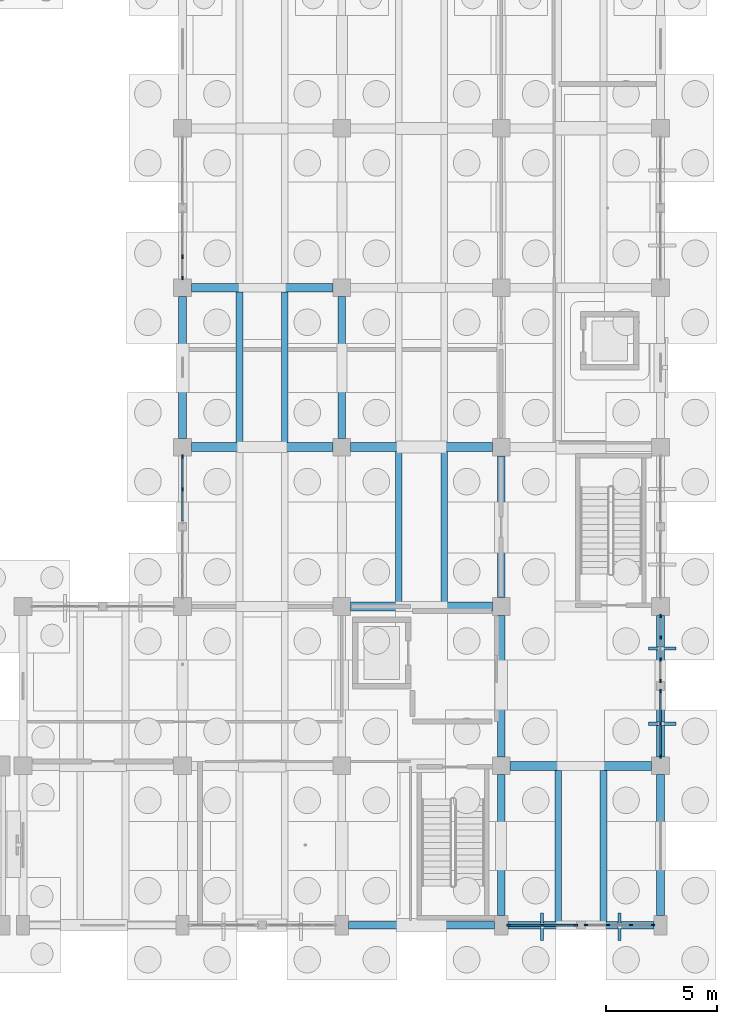
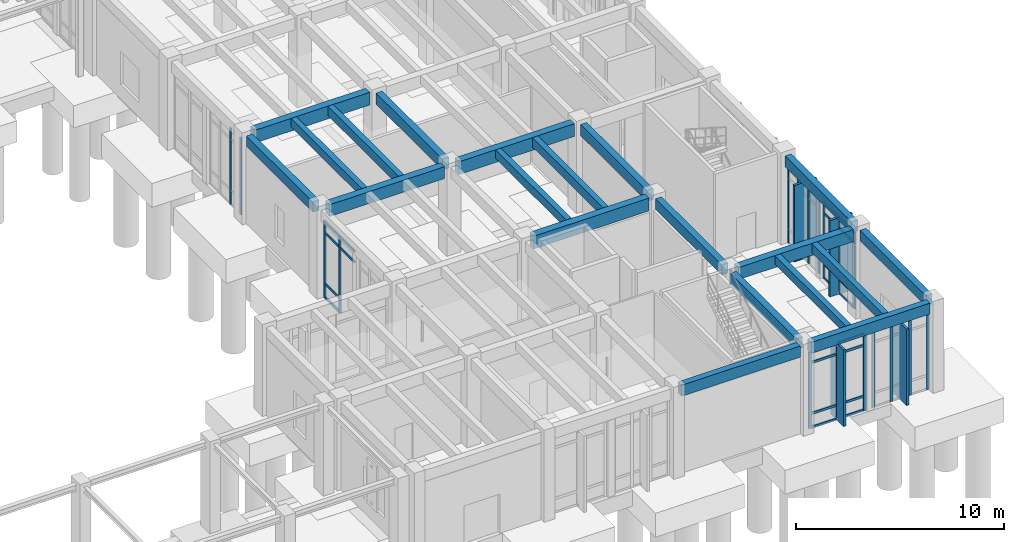
# One storey, part 36 of 93: 44 members, 20 beams, 6 elements without a shape of their own.
"""IFC4 building model written with IfcOpenShell, lengths in metres."""

from ifc_helpers import new_model, si_unit, direction, frame, origin, origin_2d, place, context, subcontext, project, spatial, rectangle, extrude, material, layer, layer_set, material_profile, profile_set, type_object, element, aggregate, save


model = new_model("IFC4")

# Units and contexts
model_context = context("Model", 3, precision=1e-05, world=origin(), true_north=direction((0.0, 1.0)))
body_context = subcontext(model_context, "Body", "Model", "MODEL_VIEW")
ifc_project = project(units=[si_unit("LENGTHUNIT", "METRE"), si_unit("AREAUNIT", "SQUARE_METRE"), si_unit("VOLUMEUNIT", "CUBIC_METRE"), si_unit("PLANEANGLEUNIT", "RADIAN"), si_unit("MASSUNIT", "GRAM", prefix="KILO")], contexts=[model_context])

# Site, building, storey
site_placement = place(None, origin())
site = spatial("IfcSite", under=ifc_project, at=site_placement, CompositionType="ELEMENT")
building_placement = place(site_placement, origin())
building = spatial("IfcBuilding", under=site, at=building_placement, Name="Koriwan Promenade Central Fire Station", CompositionType="ELEMENT")
storey_placement = place(building_placement, origin())
storey = spatial("IfcBuildingStorey", under=building, at=storey_placement, Name="L00", CompositionType="ELEMENT", Elevation=0.0)

# Beams
ifc_material_1 = material(Name="Concrete C35/45", Category="concrete")
ifc_material_profile_1 = material_profile(ifc_material_1, rectangle(XDim=0.300048828125, YDim=0.5, at=origin_2d()), Name="RC-BM-300x500")
ifc_profile_set_1 = profile_set([ifc_material_profile_1], Name="Concrete C35/45")
beam_type_1 = type_object("IfcBeamType", Name="Beam_RC-BM-300x500", PredefinedType="JOIST", material=ifc_profile_set_1)
beam_1_placement = place(storey_placement, frame((168.176025390625, 0.175048828125, 4.89990234375), z_axis=(0.0, 1.0, 0.0), x_axis=(-1.0, 0.0, 0.0)))
element("IfcBeam", 1, at=beam_1_placement, inside=storey, type_object=beam_type_1, Name="V5 L00 secondary joist 567", PredefinedType="JOIST", context=body_context, shape_type="SweptSolid", body=[
    extrude(rectangle(XDim=0.300048828125, YDim=0.5, at=origin_2d()), origin(), (0.0, 0.0, 1.0), 6.824951171875),
])
beam_2_placement = place(storey_placement, frame((160.97607421875, 14.60009765625, 4.89990234375), z_axis=(0.0, 1.0, 0.0), x_axis=(-1.0, 0.0, 0.0)))
element("IfcBeam", 2, at=beam_2_placement, inside=storey, type_object=beam_type_1, Name="V5 L00 secondary joist 575", PredefinedType="JOIST", context=body_context, shape_type="SweptSolid", body=[
    extrude(rectangle(XDim=0.300048828125, YDim=0.5, at=origin_2d()), origin(), (0.0, 0.0, 1.0), 6.7998046875),
])
beam_3_placement = place(storey_placement, frame((153.77587890625, 21.800048828125, 4.89990234375), z_axis=(0.0, 1.0, 0.0), x_axis=(-1.0, 0.0, 0.0)))
element("IfcBeam", 3, at=beam_3_placement, inside=storey, type_object=beam_type_1, Name="V5 L00 secondary joist 577", PredefinedType="JOIST", context=body_context, shape_type="SweptSolid", body=[
    extrude(rectangle(XDim=0.300048828125, YDim=0.5, at=origin_2d()), origin(), (0.0, 0.0, 1.0), 6.800048828125),
])
ifc_material_profile_2 = material_profile(ifc_material_1, rectangle(XDim=0.300048828125, YDim=0.550048828125, at=origin_2d()), Name="RC-BM-300x550")
ifc_profile_set_2 = profile_set([ifc_material_profile_2], Name="Concrete C35/45")
beam_type_2 = type_object("IfcBeamType", Name="Beam_RC-BM-300x550", PredefinedType="JOIST", material=ifc_profile_set_2)
beam_4_placement = place(storey_placement, frame((170.22412109375, 0.175048828125, 4.875), z_axis=(0.0, 1.0, 0.0), x_axis=(-1.0, 0.0, 0.0)))
element("IfcBeam", 4, at=beam_4_placement, inside=storey, type_object=beam_type_2, Name="V5 L00 secondary joist 568", PredefinedType="JOIST", context=body_context, shape_type="SweptSolid", body=[
    extrude(rectangle(XDim=0.300048828125, YDim=0.550048828125, at=origin_2d()), origin(), (0.0, 0.0, 1.0), 6.824951171875),
])
beam_5_placement = place(storey_placement, frame((163.02392578125, 14.60009765625, 4.875), z_axis=(0.0, 1.0, 0.0), x_axis=(-1.0, 0.0, 0.0)))
element("IfcBeam", 5, at=beam_5_placement, inside=storey, type_object=beam_type_2, Name="V5 L00 secondary joist 576", PredefinedType="JOIST", context=body_context, shape_type="SweptSolid", body=[
    extrude(rectangle(XDim=0.300048828125, YDim=0.550048828125, at=origin_2d()), origin(), (0.0, 0.0, 1.0), 6.7998046875),
])
beam_6_placement = place(storey_placement, frame((155.823974609375, 21.800048828125, 4.875), z_axis=(0.0, 1.0, 0.0), x_axis=(-1.0, 0.0, 0.0)))
element("IfcBeam", 6, at=beam_6_placement, inside=storey, type_object=beam_type_2, Name="V5 L00 secondary joist 578", PredefinedType="JOIST", context=body_context, shape_type="SweptSolid", body=[
    extrude(rectangle(XDim=0.300048828125, YDim=0.550048828125, at=origin_2d()), origin(), (0.0, 0.0, 1.0), 6.800048828125),
])
ifc_material_profile_3 = material_profile(ifc_material_1, rectangle(XDim=0.35009765625, YDim=0.60009765625, at=origin_2d()), Name="RC-BM-350x600")
ifc_profile_set_3 = profile_set([ifc_material_profile_3], Name="Concrete C35/45")
beam_type_3 = type_object("IfcBeamType", Name="Beam_RC-BM-350x600", PredefinedType="BEAM", material=ifc_profile_set_3)
for number, where, z_axis, x_axis, name in (
    (7, (151.199951171875, 22.0, 4.85009765625), (0.0, 1.0, 0.0), (-1.0, 0.0, 0.0), "V5 L00 girder Y-522"),
    (8, (165.60009765625, 7.60009765625, 4.85009765625), (0.0, 1.0, 0.0), (-1.0, 0.0, 0.0), "V5 L00 girder Y-542"),
):
    element("IfcBeam", number, at=place(storey_placement, frame(where, z_axis=z_axis, x_axis=x_axis)), inside=storey, type_object=beam_type_3, Name=name, PredefinedType="BEAM", context=body_context, shape_type="SweptSolid", body=[
        extrude(rectangle(XDim=0.35009765625, YDim=0.60009765625, at=origin_2d()), origin(), (0.0, 0.0, 1.0), 6.39990234375),
    ])
beam_7_placement = place(storey_placement, frame((172.800048828125, 0.449951171875, 4.85009765625), z_axis=(0.0, 1.0, 0.0), x_axis=(-1.0, 0.0, 0.0)))
element("IfcBeam", 9, at=beam_7_placement, inside=storey, type_object=beam_type_3, Name="V5 L00 girder Y-552", PredefinedType="BEAM", context=body_context, shape_type="SweptSolid", body=[
    extrude(rectangle(XDim=0.35009765625, YDim=0.60009765625, at=origin_2d()), origin(), (0.0, 0.0, 1.0), 6.35009765625),
])
ifc_material_profile_4 = material_profile(ifc_material_1, rectangle(XDim=0.35009765625, YDim=0.64990234375, at=origin_2d()), Name="RC-BM-350x650")
ifc_profile_set_4 = profile_set([ifc_material_profile_4], Name="Concrete C35/45")
beam_type_4 = type_object("IfcBeamType", Name="Beam_RC-BM-350x650", PredefinedType="BEAM", material=ifc_profile_set_4)
beam_8_placement = place(storey_placement, frame((158.39990234375, 22.0, 4.824951171875), z_axis=(0.0, 1.0, 0.0), x_axis=(-1.0, 0.0, 0.0)))
element("IfcBeam", 10, at=beam_8_placement, inside=storey, type_object=beam_type_4, Name="V5 L00 girder Y-533", PredefinedType="BEAM", context=body_context, shape_type="SweptSolid", body=[
    extrude(rectangle(XDim=0.35009765625, YDim=0.64990234375, at=origin_2d()), origin(), (0.0, 0.0, 1.0), 6.39990234375),
])
beam_9_placement = place(storey_placement, frame((165.60009765625, 0.449951171875, 4.824951171875), z_axis=(0.0, 1.0, 0.0), x_axis=(-1.0, 0.0, 0.0)))
element("IfcBeam", 11, at=beam_9_placement, inside=storey, type_object=beam_type_4, Name="V5 L00 girder Y-541", PredefinedType="BEAM", context=body_context, shape_type="SweptSolid", body=[
    extrude(rectangle(XDim=0.35009765625, YDim=0.64990234375, at=origin_2d()), origin(), (0.0, 0.0, 1.0), 6.35009765625),
])
for number, where, z_axis, x_axis, name in (
    (12, (165.60009765625, 14.800048828125, 4.824951171875), (0.0, 1.0, 0.0), (-1.0, 0.0, 0.0), "V5 L00 girder Y-543"),
    (13, (172.800048828125, 7.60009765625, 4.824951171875), (0.0, 1.0, 0.0), (-1.0, 0.0, 0.0), "V5 L00 girder Y-553"),
):
    element("IfcBeam", number, at=place(storey_placement, frame(where, z_axis=z_axis, x_axis=x_axis)), inside=storey, type_object=beam_type_4, Name=name, PredefinedType="BEAM", context=body_context, shape_type="SweptSolid", body=[
        extrude(rectangle(XDim=0.35009765625, YDim=0.64990234375, at=origin_2d()), origin(), (0.0, 0.0, 1.0), 6.39990234375),
    ])
ifc_material_profile_5 = material_profile(ifc_material_1, rectangle(XDim=0.39990234375, YDim=0.699951171875, at=origin_2d()), Name="RC-BM-400x700")
ifc_profile_set_5 = profile_set([ifc_material_profile_5], Name="Concrete C35/45")
beam_type_5 = type_object("IfcBeamType", Name="Beam_RC-BM-400x700", PredefinedType="BEAM", material=ifc_profile_set_5)
for number, where, z_axis, x_axis, name in (
    (14, (166.0, 7.199951171875, 4.800048828125), (1.0, 0.0, 0.0), (0.0, 1.0, 0.0), "V5 L00 girder X-486"),
    (15, (151.60009765625, 21.60009765625, 4.800048828125), (1.0, 0.0, 0.0), (0.0, 1.0, 0.0), "V5 L00 girder X-490"),
):
    element("IfcBeam", number, at=place(storey_placement, frame(where, z_axis=z_axis, x_axis=x_axis)), inside=storey, type_object=beam_type_5, Name=name, PredefinedType="BEAM", context=body_context, shape_type="SweptSolid", body=[
        extrude(rectangle(XDim=0.39990234375, YDim=0.699951171875, at=origin_2d()), origin(), (0.0, 0.0, 1.0), 6.39990234375),
    ])
ifc_material_profile_6 = material_profile(ifc_material_1, rectangle(XDim=0.39990234375, YDim=0.75, at=origin_2d()), Name="RC-BM-400x750")
ifc_profile_set_6 = profile_set([ifc_material_profile_6], Name="Concrete C35/45")
beam_type_6 = type_object("IfcBeamType", Name="Beam_RC-BM-400x750", PredefinedType="BEAM", material=ifc_profile_set_6)
for number, where, z_axis, x_axis, name in (
    (16, (158.800048828125, 14.39990234375, 4.77490234375), (1.0, 0.0, 0.0), (0.0, 1.0, 0.0), "V5 L00 girder X-489"),
    (17, (158.800048828125, 21.60009765625, 4.77490234375), (1.0, 0.0, 0.0), (0.0, 1.0, 0.0), "V5 L00 girder X-491"),
    (18, (151.60009765625, 28.800048828125, 4.77490234375), (1.0, 0.0, 0.0), (0.0, 1.0, 0.0), "V5 L00 girder X-493"),
):
    element("IfcBeam", number, at=place(storey_placement, frame(where, z_axis=z_axis, x_axis=x_axis)), inside=storey, type_object=beam_type_6, Name=name, PredefinedType="BEAM", context=body_context, shape_type="SweptSolid", body=[
        extrude(rectangle(XDim=0.39990234375, YDim=0.75, at=origin_2d()), origin(), (0.0, 0.0, 1.0), 6.39990234375),
    ])
ifc_material_profile_7 = material_profile(ifc_material_1, rectangle(XDim=0.35009765625, YDim=0.64990234375, at=origin_2d()), Name="RC-SP-350x650")
ifc_profile_set_7 = profile_set([ifc_material_profile_7], Name="Concrete C35/45")
beam_type_7 = type_object("IfcBeamType", Name="Beam_RC-SP-350x650", PredefinedType="SPANDREL", material=ifc_profile_set_7)
for number, where, z_axis, x_axis, name in (
    (19, (158.699951171875, 0.0, 4.824951171875), (1.0, 0.0, 0.0), (0.0, 1.0, 0.0), "V5 L00 girder X-482"),
    (20, (165.89990234375, 0.0, 4.824951171875), (1.0, 0.0, 0.0), (0.0, 1.0, 0.0), "V5 L00 girder X-483"),
):
    element("IfcBeam", number, at=place(storey_placement, frame(where, z_axis=z_axis, x_axis=x_axis)), inside=storey, type_object=beam_type_7, Name=name, PredefinedType="SPANDREL", context=body_context, shape_type="SweptSolid", body=[
        extrude(rectangle(XDim=0.35009765625, YDim=0.64990234375, at=origin_2d()), origin(), (0.0, 0.0, 1.0), 6.60009765625),
    ])

# Curtain wall, members
ifc_material_2 = material(Name="Aluminium EN AW-6063-T6 and low-E glazing", Category="aluminium")
ifc_layer_1 = layer(ifc_material_2, 0.159912109375, Name="Aluminium EN AW-6063-T6 and low-E glazing")
ifc_layer_set_1 = layer_set([ifc_layer_1], Name="Aluminium EN AW-6063-T6 and low-E glazing")
curtain_wall_type_1 = type_object("IfcCurtainWallType", Name="CurtainWall_48_310x449", PredefinedType="USERDEFINED", material=ifc_layer_set_1)
curtain_wall_1_placement = place(storey_placement, origin())
curtain_wall_1 = element("IfcCurtainWall", 21, at=curtain_wall_1_placement, inside=storey, type_object=curtain_wall_type_1, Name="V5 L00 unitised curtain wall 129", ObjectType="UNITISED CURTAIN WALL", PredefinedType="USERDEFINED")
ifc_material_3 = material(Name="Aluminium EN AW-6063-T6", Category="aluminium")
ifc_material_profile_8 = material_profile(ifc_material_3, rectangle(XDim=0.06494140625, YDim=0.159912109375, at=origin_2d()), Name="ALU-MUL-65x160")
ifc_profile_set_8 = profile_set([ifc_material_profile_8], Name="Aluminium EN AW-6063-T6")
member_type_1 = type_object("IfcMemberType", Name="CWMullion_ALU-MUL-65x160", PredefinedType="MULLION", material=ifc_profile_set_8)
member_1_placement = place(storey_placement, frame((172.467529296875, 0.0, 0.0), z_axis=(0.0, 0.0, 1.0), x_axis=(0.0, -1.0, 0.0)))
member_1 = element("IfcMember", 22, at=member_1_placement, type_object=member_type_1, Name="CW-48 mullion 1", PredefinedType="MULLION", context=body_context, shape_type="SweptSolid", body=[
    extrude(rectangle(XDim=0.06494140625, YDim=0.159912109375, at=origin_2d()), origin(), (0.0, 0.0, 1.0), 4.489990234375),
])
member_2_placement = place(storey_placement, frame((171.466552734375, 0.0, 0.0), z_axis=(0.0, 0.0, 1.0), x_axis=(0.0, -1.0, 0.0)))
member_2 = element("IfcMember", 23, at=member_2_placement, type_object=member_type_1, Name="CW-48 mullion 2", PredefinedType="MULLION", context=body_context, shape_type="SweptSolid", body=[
    extrude(rectangle(XDim=0.06494140625, YDim=0.159912109375, at=origin_2d()), origin(), (0.0, 0.0, 1.0), 4.489990234375),
])
member_3_placement = place(storey_placement, frame((170.433349609375, 0.0, 0.0), z_axis=(0.0, 0.0, 1.0), x_axis=(0.0, -1.0, 0.0)))
member_3 = element("IfcMember", 24, at=member_3_placement, type_object=member_type_1, Name="CW-48 mullion 3", PredefinedType="MULLION", context=body_context, shape_type="SweptSolid", body=[
    extrude(rectangle(XDim=0.06494140625, YDim=0.159912109375, at=origin_2d()), origin(), (0.0, 0.0, 1.0), 4.489990234375),
])
member_4_placement = place(storey_placement, frame((169.4326171875, 0.0, 0.0), z_axis=(0.0, 0.0, 1.0), x_axis=(0.0, -1.0, 0.0)))
member_4 = element("IfcMember", 25, at=member_4_placement, type_object=member_type_1, Name="CW-48 mullion 4", PredefinedType="MULLION", context=body_context, shape_type="SweptSolid", body=[
    extrude(rectangle(XDim=0.06494140625, YDim=0.159912109375, at=origin_2d()), origin(), (0.0, 0.0, 1.0), 4.489990234375),
])
aggregate(curtain_wall_1, [member_1, member_2, member_3, member_4])

ifc_layer_2 = layer(ifc_material_2, 0.159912109375, Name="Aluminium EN AW-6063-T6 and low-E glazing")
ifc_layer_set_2 = layer_set([ifc_layer_2], Name="Aluminium EN AW-6063-T6 and low-E glazing")
curtain_wall_type_2 = type_object("IfcCurtainWallType", Name="CurtainWall_51_300x449", PredefinedType="USERDEFINED", material=ifc_layer_set_2)
curtain_wall_2_placement = place(storey_placement, origin())
curtain_wall_2 = element("IfcCurtainWall", 26, at=curtain_wall_2_placement, inside=storey, type_object=curtain_wall_type_2, Name="V5 L00 unitised curtain wall 137", ObjectType="UNITISED CURTAIN WALL", PredefinedType="USERDEFINED")
member_5_placement = place(storey_placement, frame((151.199951171875, 29.232421875, 0.0), z_axis=(0.0, 0.0, 1.0), x_axis=(-1.0, 0.0, 0.0)))
member_5 = element("IfcMember", 27, at=member_5_placement, type_object=member_type_1, Name="CW-51 mullion 1", PredefinedType="MULLION", context=body_context, shape_type="SweptSolid", body=[
    extrude(rectangle(XDim=0.06494140625, YDim=0.159912109375, at=origin_2d()), origin(), (0.0, 0.0, 1.0), 4.489990234375),
])
member_6_placement = place(storey_placement, frame((151.199951171875, 30.199951171875, 0.0), z_axis=(0.0, 0.0, 1.0), x_axis=(-1.0, 0.0, 0.0)))
member_6 = element("IfcMember", 28, at=member_6_placement, type_object=member_type_1, Name="CW-51 mullion 2", PredefinedType="MULLION", context=body_context, shape_type="SweptSolid", body=[
    extrude(rectangle(XDim=0.06494140625, YDim=0.159912109375, at=origin_2d()), origin(), (0.0, 0.0, 1.0), 4.489990234375),
])
aggregate(curtain_wall_2, [member_5, member_6])

curtain_wall_3_placement = place(storey_placement, origin())
curtain_wall_3 = element("IfcCurtainWall", 29, at=curtain_wall_3_placement, inside=storey, type_object=curtain_wall_type_2, Name="V5 L00 unitised curtain wall 159", ObjectType="UNITISED CURTAIN WALL", PredefinedType="USERDEFINED")
member_7_placement = place(storey_placement, frame((172.800048828125, 13.967529296875, 0.0), z_axis=(0.0, 0.0, 1.0), x_axis=(1.0, 0.0, 0.0)))
member_7 = element("IfcMember", 30, at=member_7_placement, type_object=member_type_1, Name="CW-51 mullion 1", PredefinedType="MULLION", context=body_context, shape_type="SweptSolid", body=[
    extrude(rectangle(XDim=0.06494140625, YDim=0.159912109375, at=origin_2d()), origin(), (0.0, 0.0, 1.0), 4.489990234375),
])
member_8_placement = place(storey_placement, frame((172.800048828125, 13.0, 0.0), z_axis=(0.0, 0.0, 1.0), x_axis=(1.0, 0.0, 0.0)))
member_8 = element("IfcMember", 31, at=member_8_placement, type_object=member_type_1, Name="CW-51 mullion 2", PredefinedType="MULLION", context=body_context, shape_type="SweptSolid", body=[
    extrude(rectangle(XDim=0.06494140625, YDim=0.159912109375, at=origin_2d()), origin(), (0.0, 0.0, 1.0), 4.489990234375),
])
member_9_placement = place(storey_placement, frame((172.800048828125, 12.0, 0.0), z_axis=(0.0, 0.0, 1.0), x_axis=(1.0, 0.0, 0.0)))
member_9 = element("IfcMember", 32, at=member_9_placement, type_object=member_type_1, Name="CW-51 mullion 3", PredefinedType="MULLION", context=body_context, shape_type="SweptSolid", body=[
    extrude(rectangle(XDim=0.06494140625, YDim=0.159912109375, at=origin_2d()), origin(), (0.0, 0.0, 1.0), 4.489990234375),
])
member_10_placement = place(storey_placement, frame((172.800048828125, 11.032470703125, 0.0), z_axis=(0.0, 0.0, 1.0), x_axis=(1.0, 0.0, 0.0)))
member_10 = element("IfcMember", 33, at=member_10_placement, type_object=member_type_1, Name="CW-51 mullion 4", PredefinedType="MULLION", context=body_context, shape_type="SweptSolid", body=[
    extrude(rectangle(XDim=0.06494140625, YDim=0.159912109375, at=origin_2d()), origin(), (0.0, 0.0, 1.0), 4.489990234375),
])
aggregate(curtain_wall_3, [member_7, member_8, member_9, member_10])

ifc_layer_3 = layer(ifc_material_2, 0.159912109375, Name="Aluminium EN AW-6063-T6 and low-E glazing")
ifc_layer_set_3 = layer_set([ifc_layer_3], Name="Aluminium EN AW-6063-T6 and low-E glazing")
curtain_wall_type_3 = type_object("IfcCurtainWallType", Name="CurtainWall_39_310x449", PredefinedType="USERDEFINED", material=ifc_layer_set_3)
curtain_wall_4_placement = place(storey_placement, origin())
curtain_wall_4 = element("IfcCurtainWall", 34, at=curtain_wall_4_placement, inside=storey, type_object=curtain_wall_type_3, Name="V5 L00 unitised curtain wall 130", ObjectType="UNITISED CURTAIN WALL", PredefinedType="USERDEFINED")
ifc_material_profile_9 = material_profile(ifc_material_3, rectangle(XDim=0.074951171875, YDim=0.179931640625, at=origin_2d()), Name="ALU-MUL-75x180")
ifc_profile_set_9 = profile_set([ifc_material_profile_9], Name="Aluminium EN AW-6063-T6")
member_type_2 = type_object("IfcMemberType", Name="CWMullion_ALU-MUL-75x180", PredefinedType="MULLION", material=ifc_profile_set_9)
member_11_placement = place(storey_placement, frame((168.96240234375, 0.0, 0.0), z_axis=(0.0, 0.0, 1.0), x_axis=(0.0, -1.0, 0.0)))
member_11 = element("IfcMember", 35, at=member_11_placement, type_object=member_type_2, Name="CW-39 mullion 1", PredefinedType="MULLION", context=body_context, shape_type="SweptSolid", body=[
    extrude(rectangle(XDim=0.074951171875, YDim=0.179931640625, at=origin_2d()), origin(), (0.0, 0.0, 1.0), 4.489990234375),
])
member_12_placement = place(storey_placement, frame((167.449951171875, 0.0, 0.0), z_axis=(0.0, 0.0, 1.0), x_axis=(0.0, -1.0, 0.0)))
member_12 = element("IfcMember", 36, at=member_12_placement, type_object=member_type_2, Name="CW-39 mullion 2", PredefinedType="MULLION", context=body_context, shape_type="SweptSolid", body=[
    extrude(rectangle(XDim=0.074951171875, YDim=0.179931640625, at=origin_2d()), origin(), (0.0, 0.0, 1.0), 4.489990234375),
])
member_13_placement = place(storey_placement, frame((165.9375, 0.0, 0.0), z_axis=(0.0, 0.0, 1.0), x_axis=(0.0, -1.0, 0.0)))
member_13 = element("IfcMember", 37, at=member_13_placement, type_object=member_type_2, Name="CW-39 mullion 3", PredefinedType="MULLION", context=body_context, shape_type="SweptSolid", body=[
    extrude(rectangle(XDim=0.074951171875, YDim=0.179931640625, at=origin_2d()), origin(), (0.0, 0.0, 1.0), 4.489990234375),
])

ifc_layer_4 = layer(ifc_material_2, 0.159912109375, Name="Aluminium EN AW-6063-T6 and low-E glazing")
ifc_layer_set_4 = layer_set([ifc_layer_4], Name="Aluminium EN AW-6063-T6 and low-E glazing")
curtain_wall_type_4 = type_object("IfcCurtainWallType", Name="CurtainWall_52_300x449", PredefinedType="USERDEFINED", material=ifc_layer_set_4)
curtain_wall_5_placement = place(storey_placement, origin())
curtain_wall_5 = element("IfcCurtainWall", 38, at=curtain_wall_5_placement, inside=storey, type_object=curtain_wall_type_4, Name="V5 L00 unitised curtain wall 136", ObjectType="UNITISED CURTAIN WALL", PredefinedType="USERDEFINED")
member_14_placement = place(storey_placement, frame((151.199951171875, 19.699951171875, 0.0), z_axis=(0.0, 0.0, 1.0), x_axis=(-1.0, 0.0, 0.0)))
member_14 = element("IfcMember", 39, at=member_14_placement, type_object=member_type_2, Name="CW-52 mullion 2", PredefinedType="MULLION", context=body_context, shape_type="SweptSolid", body=[
    extrude(rectangle(XDim=0.074951171875, YDim=0.179931640625, at=origin_2d()), origin(), (0.0, 0.0, 1.0), 4.489990234375),
])
member_15_placement = place(storey_placement, frame((151.199951171875, 21.16259765625, 0.0), z_axis=(0.0, 0.0, 1.0), x_axis=(-1.0, 0.0, 0.0)))
member_15 = element("IfcMember", 40, at=member_15_placement, type_object=member_type_2, Name="CW-52 mullion 3", PredefinedType="MULLION", context=body_context, shape_type="SweptSolid", body=[
    extrude(rectangle(XDim=0.074951171875, YDim=0.179931640625, at=origin_2d()), origin(), (0.0, 0.0, 1.0), 4.489990234375),
])

curtain_wall_6_placement = place(storey_placement, origin())
curtain_wall_6 = element("IfcCurtainWall", 41, at=curtain_wall_6_placement, inside=storey, type_object=curtain_wall_type_4, Name="V5 L00 unitised curtain wall 160", ObjectType="UNITISED CURTAIN WALL", PredefinedType="USERDEFINED")
member_16_placement = place(storey_placement, frame((172.800048828125, 10.5625, 0.0), z_axis=(0.0, 0.0, 1.0), x_axis=(1.0, 0.0, 0.0)))
member_16 = element("IfcMember", 42, at=member_16_placement, type_object=member_type_2, Name="CW-52 mullion 1", PredefinedType="MULLION", context=body_context, shape_type="SweptSolid", body=[
    extrude(rectangle(XDim=0.074951171875, YDim=0.179931640625, at=origin_2d()), origin(), (0.0, 0.0, 1.0), 4.489990234375),
])
member_17_placement = place(storey_placement, frame((172.800048828125, 9.10009765625, 0.0), z_axis=(0.0, 0.0, 1.0), x_axis=(1.0, 0.0, 0.0)))
member_17 = element("IfcMember", 43, at=member_17_placement, type_object=member_type_2, Name="CW-52 mullion 2", PredefinedType="MULLION", context=body_context, shape_type="SweptSolid", body=[
    extrude(rectangle(XDim=0.074951171875, YDim=0.179931640625, at=origin_2d()), origin(), (0.0, 0.0, 1.0), 4.489990234375),
])
member_18_placement = place(storey_placement, frame((172.800048828125, 7.637451171875, 0.0), z_axis=(0.0, 0.0, 1.0), x_axis=(1.0, 0.0, 0.0)))
member_18 = element("IfcMember", 44, at=member_18_placement, type_object=member_type_2, Name="CW-52 mullion 3", PredefinedType="MULLION", context=body_context, shape_type="SweptSolid", body=[
    extrude(rectangle(XDim=0.074951171875, YDim=0.179931640625, at=origin_2d()), origin(), (0.0, 0.0, 1.0), 4.489990234375),
])

# Member
ifc_material_profile_10 = material_profile(ifc_material_3, rectangle(XDim=0.074951171875, YDim=0.139892578125, at=origin_2d()), Name="ALU-TRN-75x140")
ifc_profile_set_10 = profile_set([ifc_material_profile_10], Name="Aluminium EN AW-6063-T6")
member_type_3 = type_object("IfcMemberType", Name="CWTransom_ALU-TRN-75x140", PredefinedType="USERDEFINED", material=ifc_profile_set_10)
member_19_placement = place(storey_placement, frame((168.925048828125, 0.0, 0.03759765625), z_axis=(-1.0, 0.0, 0.0), x_axis=(0.0, -1.0, 0.0)))
member_19 = element("IfcMember", 45, at=member_19_placement, type_object=member_type_3, Name="CW-39 transom 1.1", ObjectType="TRANSOM", PredefinedType="USERDEFINED", context=body_context, shape_type="SweptSolid", body=[
    extrude(rectangle(XDim=0.074951171875, YDim=0.139892578125, at=origin_2d()), origin(), (0.0, 0.0, 1.0), 1.4375),
])

member_20_placement = place(storey_placement, frame((168.925048828125, 0.0, 0.85009765625), z_axis=(-1.0, 0.0, 0.0), x_axis=(0.0, -1.0, 0.0)))
member_20 = element("IfcMember", 46, at=member_20_placement, type_object=member_type_3, Name="CW-39 transom 1.2", ObjectType="TRANSOM", PredefinedType="USERDEFINED", context=body_context, shape_type="SweptSolid", body=[
    extrude(rectangle(XDim=0.074951171875, YDim=0.139892578125, at=origin_2d()), origin(), (0.0, 0.0, 1.0), 1.4375),
])

member_21_placement = place(storey_placement, frame((168.925048828125, 0.0, 3.840087890625), z_axis=(-1.0, 0.0, 0.0), x_axis=(0.0, -1.0, 0.0)))
member_21 = element("IfcMember", 47, at=member_21_placement, type_object=member_type_3, Name="CW-39 transom 1.3", ObjectType="TRANSOM", PredefinedType="USERDEFINED", context=body_context, shape_type="SweptSolid", body=[
    extrude(rectangle(XDim=0.074951171875, YDim=0.139892578125, at=origin_2d()), origin(), (0.0, 0.0, 1.0), 1.4375),
])

member_22_placement = place(storey_placement, frame((168.925048828125, 0.0, 4.452392578125), z_axis=(-1.0, 0.0, 0.0), x_axis=(0.0, -1.0, 0.0)))
member_22 = element("IfcMember", 48, at=member_22_placement, type_object=member_type_3, Name="CW-39 transom 1.4", ObjectType="TRANSOM", PredefinedType="USERDEFINED", context=body_context, shape_type="SweptSolid", body=[
    extrude(rectangle(XDim=0.074951171875, YDim=0.139892578125, at=origin_2d()), origin(), (0.0, 0.0, 1.0), 1.4375),
])

member_23_placement = place(storey_placement, frame((167.41259765625, 0.0, 0.03759765625), z_axis=(-1.0, 0.0, 0.0), x_axis=(0.0, -1.0, 0.0)))
member_23 = element("IfcMember", 49, at=member_23_placement, type_object=member_type_3, Name="CW-39 transom 2.1", ObjectType="TRANSOM", PredefinedType="USERDEFINED", context=body_context, shape_type="SweptSolid", body=[
    extrude(rectangle(XDim=0.074951171875, YDim=0.139892578125, at=origin_2d()), origin(), (0.0, 0.0, 1.0), 1.4375),
])

member_24_placement = place(storey_placement, frame((167.41259765625, 0.0, 0.85009765625), z_axis=(-1.0, 0.0, 0.0), x_axis=(0.0, -1.0, 0.0)))
member_24 = element("IfcMember", 50, at=member_24_placement, type_object=member_type_3, Name="CW-39 transom 2.2", ObjectType="TRANSOM", PredefinedType="USERDEFINED", context=body_context, shape_type="SweptSolid", body=[
    extrude(rectangle(XDim=0.074951171875, YDim=0.139892578125, at=origin_2d()), origin(), (0.0, 0.0, 1.0), 1.4375),
])

member_25_placement = place(storey_placement, frame((167.41259765625, 0.0, 3.840087890625), z_axis=(-1.0, 0.0, 0.0), x_axis=(0.0, -1.0, 0.0)))
member_25 = element("IfcMember", 51, at=member_25_placement, type_object=member_type_3, Name="CW-39 transom 2.3", ObjectType="TRANSOM", PredefinedType="USERDEFINED", context=body_context, shape_type="SweptSolid", body=[
    extrude(rectangle(XDim=0.074951171875, YDim=0.139892578125, at=origin_2d()), origin(), (0.0, 0.0, 1.0), 1.4375),
])

member_26_placement = place(storey_placement, frame((167.41259765625, 0.0, 4.452392578125), z_axis=(-1.0, 0.0, 0.0), x_axis=(0.0, -1.0, 0.0)))
member_26 = element("IfcMember", 52, at=member_26_placement, type_object=member_type_3, Name="CW-39 transom 2.4", ObjectType="TRANSOM", PredefinedType="USERDEFINED", context=body_context, shape_type="SweptSolid", body=[
    extrude(rectangle(XDim=0.074951171875, YDim=0.139892578125, at=origin_2d()), origin(), (0.0, 0.0, 1.0), 1.4375),
])

aggregate(curtain_wall_4, [member_11, member_12, member_13, member_19, member_20, member_21, member_22, member_23, member_24, member_25, member_26])

member_27_placement = place(storey_placement, frame((151.199951171875, 18.27490234375, 3.840087890625), z_axis=(0.0, 1.0, 0.0), x_axis=(-1.0, 0.0, 0.0)))
member_27 = element("IfcMember", 53, at=member_27_placement, type_object=member_type_3, Name="CW-52 transom 1.3", ObjectType="TRANSOM", PredefinedType="USERDEFINED", context=body_context, shape_type="SweptSolid", body=[
    extrude(rectangle(XDim=0.074951171875, YDim=0.139892578125, at=origin_2d()), origin(), (0.0, 0.0, 1.0), 1.3876953125),
])

member_28_placement = place(storey_placement, frame((151.199951171875, 18.27490234375, 4.452392578125), z_axis=(0.0, 1.0, 0.0), x_axis=(-1.0, 0.0, 0.0)))
member_28 = element("IfcMember", 54, at=member_28_placement, type_object=member_type_3, Name="CW-52 transom 1.4", ObjectType="TRANSOM", PredefinedType="USERDEFINED", context=body_context, shape_type="SweptSolid", body=[
    extrude(rectangle(XDim=0.074951171875, YDim=0.139892578125, at=origin_2d()), origin(), (0.0, 0.0, 1.0), 1.3876953125),
])

member_29_placement = place(storey_placement, frame((151.199951171875, 19.737548828125, 0.03759765625), z_axis=(0.0, 1.0, 0.0), x_axis=(-1.0, 0.0, 0.0)))
member_29 = element("IfcMember", 55, at=member_29_placement, type_object=member_type_3, Name="CW-52 transom 2.1", ObjectType="TRANSOM", PredefinedType="USERDEFINED", context=body_context, shape_type="SweptSolid", body=[
    extrude(rectangle(XDim=0.074951171875, YDim=0.139892578125, at=origin_2d()), origin(), (0.0, 0.0, 1.0), 1.387451171875),
])

member_30_placement = place(storey_placement, frame((151.199951171875, 19.737548828125, 0.85009765625), z_axis=(0.0, 1.0, 0.0), x_axis=(-1.0, 0.0, 0.0)))
member_30 = element("IfcMember", 56, at=member_30_placement, type_object=member_type_3, Name="CW-52 transom 2.2", ObjectType="TRANSOM", PredefinedType="USERDEFINED", context=body_context, shape_type="SweptSolid", body=[
    extrude(rectangle(XDim=0.074951171875, YDim=0.139892578125, at=origin_2d()), origin(), (0.0, 0.0, 1.0), 1.387451171875),
])

member_31_placement = place(storey_placement, frame((151.199951171875, 19.737548828125, 3.840087890625), z_axis=(0.0, 1.0, 0.0), x_axis=(-1.0, 0.0, 0.0)))
member_31 = element("IfcMember", 57, at=member_31_placement, type_object=member_type_3, Name="CW-52 transom 2.3", ObjectType="TRANSOM", PredefinedType="USERDEFINED", context=body_context, shape_type="SweptSolid", body=[
    extrude(rectangle(XDim=0.074951171875, YDim=0.139892578125, at=origin_2d()), origin(), (0.0, 0.0, 1.0), 1.387451171875),
])

member_32_placement = place(storey_placement, frame((151.199951171875, 19.737548828125, 4.452392578125), z_axis=(0.0, 1.0, 0.0), x_axis=(-1.0, 0.0, 0.0)))
member_32 = element("IfcMember", 58, at=member_32_placement, type_object=member_type_3, Name="CW-52 transom 2.4", ObjectType="TRANSOM", PredefinedType="USERDEFINED", context=body_context, shape_type="SweptSolid", body=[
    extrude(rectangle(XDim=0.074951171875, YDim=0.139892578125, at=origin_2d()), origin(), (0.0, 0.0, 1.0), 1.387451171875),
])

aggregate(curtain_wall_5, [member_14, member_15, member_27, member_28, member_29, member_30, member_31, member_32])

member_33_placement = place(storey_placement, frame((172.800048828125, 10.52490234375, 0.03759765625), z_axis=(0.0, -1.0, 0.0), x_axis=(1.0, 0.0, 0.0)))
member_33 = element("IfcMember", 59, at=member_33_placement, type_object=member_type_3, Name="CW-52 transom 1.1", ObjectType="TRANSOM", PredefinedType="USERDEFINED", context=body_context, shape_type="SweptSolid", body=[
    extrude(rectangle(XDim=0.074951171875, YDim=0.139892578125, at=origin_2d()), origin(), (0.0, 0.0, 1.0), 1.387451171875),
])

member_34_placement = place(storey_placement, frame((172.800048828125, 10.52490234375, 0.85009765625), z_axis=(0.0, -1.0, 0.0), x_axis=(1.0, 0.0, 0.0)))
member_34 = element("IfcMember", 60, at=member_34_placement, type_object=member_type_3, Name="CW-52 transom 1.2", ObjectType="TRANSOM", PredefinedType="USERDEFINED", context=body_context, shape_type="SweptSolid", body=[
    extrude(rectangle(XDim=0.074951171875, YDim=0.139892578125, at=origin_2d()), origin(), (0.0, 0.0, 1.0), 1.387451171875),
])

member_35_placement = place(storey_placement, frame((172.800048828125, 10.52490234375, 3.840087890625), z_axis=(0.0, -1.0, 0.0), x_axis=(1.0, 0.0, 0.0)))
member_35 = element("IfcMember", 61, at=member_35_placement, type_object=member_type_3, Name="CW-52 transom 1.3", ObjectType="TRANSOM", PredefinedType="USERDEFINED", context=body_context, shape_type="SweptSolid", body=[
    extrude(rectangle(XDim=0.074951171875, YDim=0.139892578125, at=origin_2d()), origin(), (0.0, 0.0, 1.0), 1.387451171875),
])

member_36_placement = place(storey_placement, frame((172.800048828125, 10.52490234375, 4.452392578125), z_axis=(0.0, -1.0, 0.0), x_axis=(1.0, 0.0, 0.0)))
member_36 = element("IfcMember", 62, at=member_36_placement, type_object=member_type_3, Name="CW-52 transom 1.4", ObjectType="TRANSOM", PredefinedType="USERDEFINED", context=body_context, shape_type="SweptSolid", body=[
    extrude(rectangle(XDim=0.074951171875, YDim=0.139892578125, at=origin_2d()), origin(), (0.0, 0.0, 1.0), 1.387451171875),
])

member_37_placement = place(storey_placement, frame((172.800048828125, 9.0625, 0.03759765625), z_axis=(0.0, -1.0, 0.0), x_axis=(1.0, 0.0, 0.0)))
member_37 = element("IfcMember", 63, at=member_37_placement, type_object=member_type_3, Name="CW-52 transom 2.1", ObjectType="TRANSOM", PredefinedType="USERDEFINED", context=body_context, shape_type="SweptSolid", body=[
    extrude(rectangle(XDim=0.074951171875, YDim=0.139892578125, at=origin_2d()), origin(), (0.0, 0.0, 1.0), 1.387451171875),
])

member_38_placement = place(storey_placement, frame((172.800048828125, 9.0625, 0.85009765625), z_axis=(0.0, -1.0, 0.0), x_axis=(1.0, 0.0, 0.0)))
member_38 = element("IfcMember", 64, at=member_38_placement, type_object=member_type_3, Name="CW-52 transom 2.2", ObjectType="TRANSOM", PredefinedType="USERDEFINED", context=body_context, shape_type="SweptSolid", body=[
    extrude(rectangle(XDim=0.074951171875, YDim=0.139892578125, at=origin_2d()), origin(), (0.0, 0.0, 1.0), 1.387451171875),
])

member_39_placement = place(storey_placement, frame((172.800048828125, 9.0625, 3.840087890625), z_axis=(0.0, -1.0, 0.0), x_axis=(1.0, 0.0, 0.0)))
member_39 = element("IfcMember", 65, at=member_39_placement, type_object=member_type_3, Name="CW-52 transom 2.3", ObjectType="TRANSOM", PredefinedType="USERDEFINED", context=body_context, shape_type="SweptSolid", body=[
    extrude(rectangle(XDim=0.074951171875, YDim=0.139892578125, at=origin_2d()), origin(), (0.0, 0.0, 1.0), 1.387451171875),
])

member_40_placement = place(storey_placement, frame((172.800048828125, 9.0625, 4.452392578125), z_axis=(0.0, -1.0, 0.0), x_axis=(1.0, 0.0, 0.0)))
member_40 = element("IfcMember", 66, at=member_40_placement, type_object=member_type_3, Name="CW-52 transom 2.4", ObjectType="TRANSOM", PredefinedType="USERDEFINED", context=body_context, shape_type="SweptSolid", body=[
    extrude(rectangle(XDim=0.074951171875, YDim=0.139892578125, at=origin_2d()), origin(), (0.0, 0.0, 1.0), 1.387451171875),
])

aggregate(curtain_wall_6, [member_16, member_17, member_18, member_33, member_34, member_35, member_36, member_37, member_38, member_39, member_40])

# Members
ifc_material_4 = material(Name="Aluminium EN AW-6063-T6 terracotta finish", Category="masonry")
ifc_material_profile_11 = material_profile(ifc_material_4, rectangle(XDim=0.139892578125, YDim=1.25, at=origin_2d()), Name="FIN-TRC-140x1250")
ifc_profile_set_11 = profile_set([ifc_material_profile_11], Name="Aluminium EN AW-6063-T6 terracotta finish")
member_type_4 = type_object("IfcMemberType", Name="SolarFin_FIN-TRC-140x1250", PredefinedType="USERDEFINED", material=ifc_profile_set_11)
for number, where, z_axis, x_axis, name in (
    (67, (170.949951171875, -0.074951171875, 0.0), (0.0, 0.0, 1.0), (-1.0, 0.0, 0.0), "V5 L00 terracotta solar fin 011"),
    (68, (167.449951171875, -0.074951171875, 0.0), (0.0, 0.0, 1.0), (-1.0, 0.0, 0.0), "V5 L00 terracotta solar fin 012"),
    (69, (172.875, 12.5, 0.0), (0.0, 0.0, 1.0), (0.0, -1.0, 0.0), "V5 L00 terracotta solar fin 027"),
    (70, (172.875, 9.10009765625, 0.0), (0.0, 0.0, 1.0), (0.0, -1.0, 0.0), "V5 L00 terracotta solar fin 028"),
):
    element("IfcMember", number, at=place(storey_placement, frame(where, z_axis=z_axis, x_axis=x_axis)), inside=storey, type_object=member_type_4, Name=name, ObjectType="SOLAR FIN", PredefinedType="USERDEFINED", context=body_context, shape_type="SweptSolid", body=[
        extrude(rectangle(XDim=0.139892578125, YDim=1.25, at=origin_2d()), origin(), (0.0, 0.0, 1.0), 4.489990234375),
    ])

save(model, "model.ifc")
